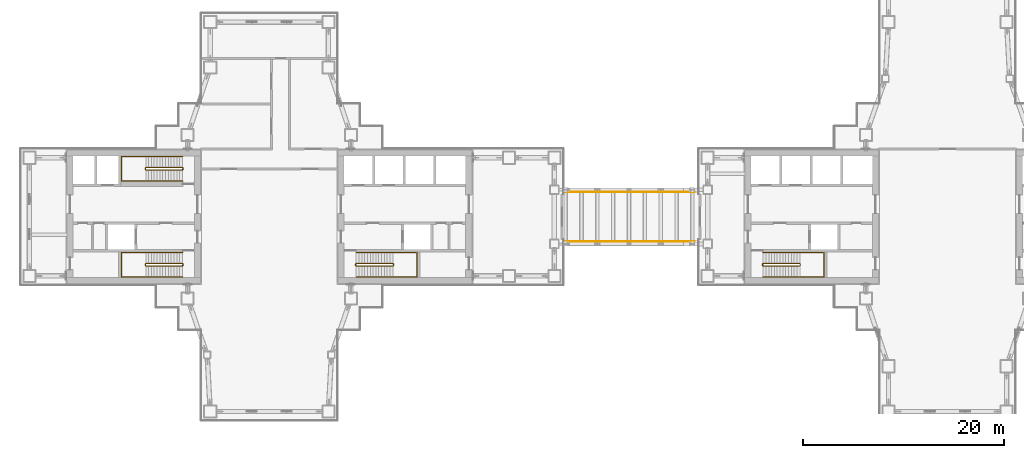
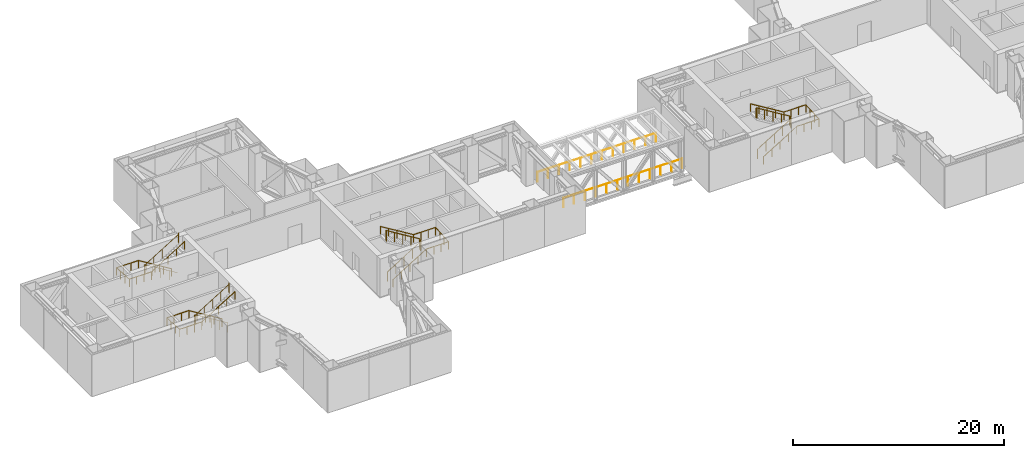
# One storey, part 20 of 21: 10 railings.
"""IFC4 building model written with IfcOpenShell, lengths in metres."""

import ifcopenshell
import ifcopenshell.guid

model = None  # the IFC model being written
_history = None  # IfcOwnerHistory: only IFC2X3 demands one
_inside = {}  # id of a spatial element -> (the spatial element, [elements in it])
_under = {}  # id of a project, library or spatial element -> (it, [spatial elements below it])
_declared = {}  # id of a project -> (the project, [libraries it declares])
_typed = {}  # id of a type object -> (the type object, [elements of that type])
_made_of = {}  # id of a material, layer set ... -> (it, [elements and type objects made of it])


def new_model(schema):
    """Start an empty IFC model of exactly this schema.

    Asked for "IFC4X3", IfcOpenShell would pick the latest addendum, in which some entities
    have other attributes; the version numbers below select the first issue.
    IFC2X3 requires an IfcOwnerHistory on every rooted entity: one is made here for all.
    """
    global model, _history
    if schema == "IFC4X3":
        model = ifcopenshell.file(schema_version=(4, 3, 0, 0))
    else:
        model = ifcopenshell.file(schema=schema)
    _inside.clear()
    _under.clear()
    _declared.clear()
    _typed.clear()
    _made_of.clear()
    _history = None
    if model.schema == "IFC2X3":
        org = make("IfcOrganization", Name="unknown")
        user = make(
            "IfcPersonAndOrganization",
            ThePerson=make("IfcPerson", FamilyName="unknown"),
            TheOrganization=org,
        )
        app = make(
            "IfcApplication",
            ApplicationDeveloper=org,
            Version="unknown",
            ApplicationFullName="unknown",
            ApplicationIdentifier="unknown",
        )
        _history = make(
            "IfcOwnerHistory",
            OwningUser=user,
            OwningApplication=app,
            ChangeAction="ADDED",
            CreationDate=0,
        )
    return model


def make(cls, **values):
    """One entity of the class cls with the attributes given. An attribute that is None is left unset."""
    return model.create_entity(
        cls, **{name: value for name, value in values.items() if value is not None}
    )


def rooted(cls, **values):
    """An entity with a GlobalId (a new one), such as an element, a storey or a relation."""
    return make(cls, GlobalId=ifcopenshell.guid.new(), OwnerHistory=_history, **values)


def si_unit(unit_type, name, prefix=None):
    """IfcSIUnit, for example si_unit("LENGTHUNIT", "METRE", prefix="MILLI")."""
    return make("IfcSIUnit", UnitType=unit_type, Prefix=prefix, Name=name)


def assignment(units):
    """IfcUnitAssignment: the units of a project."""
    return None if units is None else make("IfcUnitAssignment", Units=units)


def point(xyz):
    """IfcCartesianPoint."""
    return None if xyz is None else make("IfcCartesianPoint", Coordinates=xyz)


def direction(xyz):
    """IfcDirection."""
    return None if xyz is None else make("IfcDirection", DirectionRatios=xyz)


def frame(location, z_axis=None, x_axis=None):
    """IfcAxis2Placement3D, a coordinate frame: its origin and axes. An axis left out is left unset."""
    return make(
        "IfcAxis2Placement3D",
        Location=point(location),
        Axis=direction(z_axis),
        RefDirection=direction(x_axis),
    )


def frame_2d(location, x_axis=None):
    """IfcAxis2Placement2D, a coordinate frame in the plane: its origin and x axis."""
    return make(
        "IfcAxis2Placement2D", Location=point(location), RefDirection=direction(x_axis)
    )


def origin():
    """The frame at (0, 0, 0) with its axes left unset."""
    return frame((0.0, 0.0, 0.0))


def origin_2d():
    """The frame at (0, 0) in the plane with its x axis left unset."""
    return frame_2d((0.0, 0.0))


def place(relative_to, where):
    """IfcLocalPlacement: puts the frame where relative to a parent placement (None: the world)."""
    return make(
        "IfcLocalPlacement", PlacementRelTo=relative_to, RelativePlacement=where
    )


def context(
    kind, dimensions, precision=None, world=None, true_north=None, identifier=None
):
    """IfcGeometricRepresentationContext, for example the 3D "Model" context."""
    return make(
        "IfcGeometricRepresentationContext",
        ContextIdentifier=identifier,
        ContextType=kind,
        CoordinateSpaceDimension=dimensions,
        Precision=precision,
        WorldCoordinateSystem=world,
        TrueNorth=true_north,
    )


def subcontext(parent, identifier, kind, view, scale=None):
    """IfcGeometricRepresentationSubContext, for example "Body" below "Model"."""
    return make(
        "IfcGeometricRepresentationSubContext",
        ContextIdentifier=identifier,
        ContextType=kind,
        ParentContext=parent,
        TargetScale=scale,
        TargetView=view,
    )


def project(units=None, contexts=None):
    """IfcProject with its units and contexts."""
    return rooted(
        "IfcProject",
        Name="project",
        RepresentationContexts=contexts,
        UnitsInContext=assignment(units),
    )


def spatial(cls, under=None, at=None, **own):
    """A site, building, storey or space (cls), placed at a placement, below another one or the project."""
    s = rooted(cls, ObjectPlacement=at, **own)
    if under is not None:
        _under.setdefault(under.id(), (under, []))[1].append(s)
    return s


def profile(cls, at=None, kind="AREA", **sizes):
    """A parametric profile (cls). Its sizes go by their IFC names, for example OverallWidth=200.0."""
    return make(cls, ProfileType=kind, Position=at, **sizes)


def circle(**sizes):
    """IfcCircleProfileDef."""
    return profile("IfcCircleProfileDef", **sizes)


def extrude(swept, where, along, depth):
    """IfcExtrudedAreaSolid: the profile swept, set in the frame where, extruded along a direction by depth."""
    return make(
        "IfcExtrudedAreaSolid",
        SweptArea=swept,
        Position=where,
        ExtrudedDirection=direction(along),
        Depth=depth,
    )


def shape(context_of_items, identifier, shape_type, items):
    """IfcShapeRepresentation: the items that make up one representation, for example the "Body"."""
    return make(
        "IfcShapeRepresentation",
        ContextOfItems=context_of_items,
        RepresentationIdentifier=identifier,
        RepresentationType=shape_type,
        Items=items,
    )


def material(Name=None, Category=None):
    """IfcMaterial."""
    return make("IfcMaterial", Name=Name, Category=Category)


def made_of(thing, what):
    """Note that an element or type object is made of a material, layer set ...; save() writes the relation."""
    if what is not None:
        _made_of.setdefault(what.id(), (what, []))[1].append(thing)
    return thing


def type_object(cls, material=None, **own):
    """A type object (cls), such as IfcWallType, which elements share."""
    return made_of(rooted(cls, **own), material)


def element(
    cls,
    number,
    at=None,
    inside=None,
    cuts=None,
    type_object=None,
    material=None,
    context=None,
    identifier="Body",
    shape_type=None,
    held_by="IfcProductDefinitionShape",
    body=None,
    shapes=None,
    **own,
):
    """One element of the class cls, such as IfcWall. Its Tag is "e" and its number.

    at: its placement. inside: the storey or other place that contains it. cuts: it is an
    opening in that element (IfcRelVoidsElement). A single representation is given by context,
    identifier, shape_type and body (its items); several are given by shapes. held_by: the class
    of the entity that holds the representations. save() writes the other relations.
    """
    e = rooted(cls, Tag="e%d" % number, ObjectPlacement=at, **own)
    if body is not None:
        shapes = [shape(context, identifier, shape_type, body)]
    if shapes is not None:
        e.Representation = make(held_by, Representations=shapes)
    if inside is not None:
        _inside.setdefault(inside.id(), (inside, []))[1].append(e)
    if cuts is not None:
        rooted(
            "IfcRelVoidsElement", RelatingBuildingElement=cuts, RelatedOpeningElement=e
        )
    if type_object is not None:
        _typed.setdefault(type_object.id(), (type_object, []))[1].append(e)
    return made_of(e, material)


def aggregate(whole, parts):
    """IfcRelAggregates: a whole, such as a stair, and the parts it consists of."""
    return rooted("IfcRelAggregates", RelatingObject=whole, RelatedObjects=parts)


def save(model, path):
    """Write the relations noted so far, then the file.

    IfcRelAggregates (storeys below a building ...), IfcRelContainedInSpatialStructure (elements
    in a storey), IfcRelDefinesByType, IfcRelAssociatesMaterial and IfcRelDeclares: one each for
    every whole, place, type object, material and project.
    """
    for whole, parts in _under.values():
        aggregate(whole, parts)
    for where, things in _inside.values():
        rooted(
            "IfcRelContainedInSpatialStructure",
            RelatedElements=things,
            RelatingStructure=where,
        )
    for kind, things in _typed.values():
        rooted("IfcRelDefinesByType", RelatedObjects=things, RelatingType=kind)
    for what, things in _made_of.values():
        rooted("IfcRelAssociatesMaterial", RelatedObjects=things, RelatingMaterial=what)
    for by, libraries in _declared.values():
        rooted("IfcRelDeclares", RelatingContext=by, RelatedDefinitions=libraries)
    model.write(path)


model = new_model("IFC4")

# Units and contexts
model_context = context("Model", 3, precision=1e-05, world=origin(), true_north=direction((0.0, 1.0)))
body_context = subcontext(model_context, "Body", "Model", "MODEL_VIEW")
ifc_project = project(units=[si_unit("LENGTHUNIT", "METRE"), si_unit("AREAUNIT", "SQUARE_METRE"), si_unit("VOLUMEUNIT", "CUBIC_METRE"), si_unit("PLANEANGLEUNIT", "RADIAN"), si_unit("MASSUNIT", "GRAM", prefix="KILO")], contexts=[model_context])

# Site, building, storey
site_placement = place(None, origin())
site = spatial("IfcSite", under=ifc_project, at=site_placement, CompositionType="ELEMENT")
building_placement = place(site_placement, origin())
building = spatial("IfcBuilding", under=site, at=building_placement, Name="Shamsa Quay Exchange Towers", CompositionType="ELEMENT")
storey_placement = place(building_placement, frame((0.0, 0.0, 128.699951171875)))
storey = spatial("IfcBuildingStorey", under=building, at=storey_placement, Name="L30", CompositionType="ELEMENT", Elevation=128.699951171875)

# Railings
ifc_material_1 = material(Name="Steel S355", Category="steel")
railing_type_1 = type_object("IfcRailingType", Name="SKYBRIDGE GUARD 1100", PredefinedType="GUARDRAIL", material=ifc_material_1)
for number, where, name in (
    (1, (-4.449951171875, -2.463623046875, 0.0), "Skybridge guard BR2 S"),
    (2, (-4.449951171875, 2.463623046875, 0.0), "Skybridge guard BR2 N"),
):
    element("IfcRailing", number, at=place(storey_placement, frame(where)), inside=storey, type_object=railing_type_1, Name=name, PredefinedType="GUARDRAIL", context=body_context, shape_type="SweptSolid", body=[
        extrude(circle(Radius=0.02392578125, at=origin_2d()), frame((0.0, 0.0, 1.076171875), z_axis=(1.0, 0.0, 0.0), x_axis=(0.0, 1.0, 0.0)), (0.0, 0.0, 1.0), 13.0),
        extrude(circle(Radius=0.02099609375, at=origin_2d()), origin(), (0.0, 0.0, 1.0), 1.052001953125),
        extrude(circle(Radius=0.02099609375, at=origin_2d()), frame((1.181884765625, 0.0, 0.0)), (0.0, 0.0, 1.0), 1.052001953125),
        extrude(circle(Radius=0.02099609375, at=origin_2d()), frame((2.363525390625, 0.0, 0.0)), (0.0, 0.0, 1.0), 1.052001953125),
        extrude(circle(Radius=0.02099609375, at=origin_2d()), frame((3.54541015625, 0.0, 0.0)), (0.0, 0.0, 1.0), 1.052001953125),
        extrude(circle(Radius=0.02099609375, at=origin_2d()), frame((4.727294921875, 0.0, 0.0)), (0.0, 0.0, 1.0), 1.052001953125),
        extrude(circle(Radius=0.02099609375, at=origin_2d()), frame((5.9091796875, 0.0, 0.0)), (0.0, 0.0, 1.0), 1.052001953125),
        extrude(circle(Radius=0.02099609375, at=origin_2d()), frame((7.0908203125, 0.0, 0.0)), (0.0, 0.0, 1.0), 1.052001953125),
        extrude(circle(Radius=0.02099609375, at=origin_2d()), frame((8.272705078125, 0.0, 0.0)), (0.0, 0.0, 1.0), 1.052001953125),
        extrude(circle(Radius=0.02099609375, at=origin_2d()), frame((9.45458984375, 0.0, 0.0)), (0.0, 0.0, 1.0), 1.052001953125),
        extrude(circle(Radius=0.02099609375, at=origin_2d()), frame((10.636474609375, 0.0, 0.0)), (0.0, 0.0, 1.0), 1.052001953125),
        extrude(circle(Radius=0.02099609375, at=origin_2d()), frame((11.818115234375, 0.0, 0.0)), (0.0, 0.0, 1.0), 1.052001953125),
        extrude(circle(Radius=0.02099609375, at=origin_2d()), frame((13.0, 0.0, 0.0)), (0.0, 0.0, 1.0), 1.052001953125),
    ])
ifc_material_2 = material(Name="Stainless steel", Category="steel")
railing_type_2 = type_object("IfcRailingType", Name="STAIR GUARD 1100", PredefinedType="GUARDRAIL", material=ifc_material_2)
railing_1_placement = place(storey_placement, frame((-25.10009765625, -4.89990234375, 0.17138671875)))
element("IfcRailing", 3, at=railing_1_placement, inside=storey, type_object=railing_type_2, Name="L30 ST1 stair guard 1", PredefinedType="GUARDRAIL", context=body_context, shape_type="SweptSolid", body=[
    extrude(circle(Radius=0.02392578125, at=origin_2d()), frame((0.0, 0.0, 1.076171875), z_axis=(0.852840387347, 0.0, 0.522171689878), x_axis=(0.0, 1.0, 0.0)), (0.0, 0.0, 1.0), 4.268310546875),
    extrude(circle(Radius=0.02392578125, at=origin_2d()), frame((3.64013671875, 0.0, 3.3046875), z_axis=(0.708833529934, 0.705375805398, 0.0), x_axis=(-0.705375805398, 0.708833529934, 0.0)), (0.0, 0.0, 1.0), 0.070556640625),
    extrude(circle(Radius=0.02392578125, at=origin_2d()), frame((3.690185546875, 0.0498046875, 3.3046875), z_axis=(0.0, 1.0, 0.0), x_axis=(-1.0, 0.0, 0.0)), (0.0, 0.0, 1.0), 0.150146484375),
    extrude(circle(Radius=0.02392578125, at=origin_2d()), frame((3.690185546875, 0.199951171875, 3.3046875), z_axis=(-0.269911200495, 0.269911200495, 0.924281281696), x_axis=(-0.707106781187, -0.707106781187, 0.0)), (0.0, 0.0, 1.0), 0.185546875),
    extrude(circle(Radius=0.02392578125, at=origin_2d()), frame((3.64013671875, 0.25, 3.47607421875), z_axis=(-0.852865859571, 0.0, 0.52213008492), x_axis=(0.0, -1.0, 0.0)), (0.0, 0.0, 1.0), 4.26806640625),
    extrude(circle(Radius=0.02392578125, at=origin_2d()), frame((0.0, 0.25, 5.70458984375), z_axis=(-0.24142163986, -0.970420317083, 0.0), x_axis=(0.970420317083, -0.24142163986, 0.0)), (0.0, 0.0, 1.0), 0.206298828125),
    extrude(circle(Radius=0.02392578125, at=origin_2d()), frame((-0.0498046875, 0.0498046875, 5.70458984375), z_axis=(0.0, 1.0, 0.0), x_axis=(-1.0, 0.0, 0.0)), (0.0, 0.0, 1.0), 0.150146484375),
    extrude(circle(Radius=0.02099609375, at=origin_2d()), origin(), (0.0, 0.0, 1.0), 1.052001953125),
    extrude(circle(Radius=0.02099609375, at=origin_2d()), frame((0.91015625, 0.0, 0.55712890625)), (0.0, 0.0, 1.0), 1.052001953125),
    extrude(circle(Radius=0.02099609375, at=origin_2d()), frame((1.820068359375, 0.0, 1.1142578125)), (0.0, 0.0, 1.0), 1.052001953125),
    extrude(circle(Radius=0.02099609375, at=origin_2d()), frame((2.72998046875, 0.0, 1.671630859375)), (0.0, 0.0, 1.0), 1.052001953125),
    extrude(circle(Radius=0.02099609375, at=origin_2d()), frame((3.64013671875, 0.0, 2.228759765625)), (0.0, 0.0, 1.0), 1.052001953125),
    extrude(circle(Radius=0.02099609375, at=origin_2d()), frame((3.690185546875, 0.0498046875, 2.228759765625)), (0.0, 0.0, 1.0), 1.052001953125),
    extrude(circle(Radius=0.02099609375, at=origin_2d()), frame((3.690185546875, 0.199951171875, 2.228759765625)), (0.0, 0.0, 1.0), 1.052001953125),
    extrude(circle(Radius=0.02099609375, at=origin_2d()), frame((3.64013671875, 0.25, 2.400146484375)), (0.0, 0.0, 1.0), 1.052001953125),
    extrude(circle(Radius=0.02099609375, at=origin_2d()), frame((2.72998046875, 0.25, 2.957275390625)), (0.0, 0.0, 1.0), 1.052001953125),
    extrude(circle(Radius=0.02099609375, at=origin_2d()), frame((1.820068359375, 0.25, 3.514404296875)), (0.0, 0.0, 1.0), 1.052001953125),
    extrude(circle(Radius=0.02099609375, at=origin_2d()), frame((0.91015625, 0.25, 4.071533203125)), (0.0, 0.0, 1.0), 1.052001953125),
    extrude(circle(Radius=0.02099609375, at=origin_2d()), frame((0.0, 0.25, 4.628662109375)), (0.0, 0.0, 1.0), 1.052001953125),
    extrude(circle(Radius=0.02099609375, at=origin_2d()), frame((-0.0498046875, 0.0498046875, 4.628662109375)), (0.0, 0.0, 1.0), 1.052001953125),
    extrude(circle(Radius=0.02099609375, at=origin_2d()), frame((-0.0498046875, 0.199951171875, 4.628662109375)), (0.0, 0.0, 1.0), 1.052001953125),
])
railing_2_placement = place(storey_placement, frame((-42.39990234375, -4.64990234375, 0.17138671875)))
element("IfcRailing", 4, at=railing_2_placement, inside=storey, type_object=railing_type_2, Name="L30 ST2 stair guard 1", PredefinedType="GUARDRAIL", context=body_context, shape_type="SweptSolid", body=[
    extrude(circle(Radius=0.02392578125, at=origin_2d()), frame((0.0, 0.0, 1.076171875), z_axis=(-0.852840387347, 0.0, 0.522171689878), x_axis=(0.0, -1.0, 0.0)), (0.0, 0.0, 1.0), 4.268310546875),
    extrude(circle(Radius=0.02392578125, at=origin_2d()), frame((-3.64013671875, 0.0, 3.3046875), z_axis=(-0.707106781187, -0.707106781187, 0.0), x_axis=(0.707106781187, -0.707106781187, 0.0)), (0.0, 0.0, 1.0), 0.07080078125),
    extrude(circle(Radius=0.02392578125, at=origin_2d()), frame((-3.690185546875, -0.050048828125, 3.3046875), z_axis=(0.0, -1.0, 0.0), x_axis=(1.0, 0.0, 0.0)), (0.0, 0.0, 1.0), 0.150146484375),
    extrude(circle(Radius=0.02392578125, at=origin_2d()), frame((-3.690185546875, -0.2001953125, 3.3046875), z_axis=(0.270006937388, -0.268689830376, 0.924609122178), x_axis=(0.705375805398, 0.708833529934, 0.0)), (0.0, 0.0, 1.0), 0.185302734375),
    extrude(circle(Radius=0.02392578125, at=origin_2d()), frame((-3.64013671875, -0.25, 3.47607421875), z_axis=(0.852865859571, 0.0, 0.52213008492), x_axis=(0.0, 1.0, 0.0)), (0.0, 0.0, 1.0), 4.26806640625),
    extrude(circle(Radius=0.02392578125, at=origin_2d()), frame((0.0, -0.25, 5.70458984375), z_axis=(0.241699205484, 0.970351222016, 0.0), x_axis=(-0.970351222016, 0.241699205484, 0.0)), (0.0, 0.0, 1.0), 0.2060546875),
    extrude(circle(Radius=0.02392578125, at=origin_2d()), frame((0.0498046875, -0.050048828125, 5.70458984375), z_axis=(0.0, -1.0, 0.0), x_axis=(1.0, 0.0, 0.0)), (0.0, 0.0, 1.0), 0.150146484375),
    extrude(circle(Radius=0.02099609375, at=origin_2d()), origin(), (0.0, 0.0, 1.0), 1.052001953125),
    extrude(circle(Radius=0.02099609375, at=origin_2d()), frame((-0.91015625, 0.0, 0.55712890625)), (0.0, 0.0, 1.0), 1.052001953125),
    extrude(circle(Radius=0.02099609375, at=origin_2d()), frame((-1.820068359375, 0.0, 1.1142578125)), (0.0, 0.0, 1.0), 1.052001953125),
    extrude(circle(Radius=0.02099609375, at=origin_2d()), frame((-2.72998046875, 0.0, 1.671630859375)), (0.0, 0.0, 1.0), 1.052001953125),
    extrude(circle(Radius=0.02099609375, at=origin_2d()), frame((-3.64013671875, 0.0, 2.228759765625)), (0.0, 0.0, 1.0), 1.052001953125),
    extrude(circle(Radius=0.02099609375, at=origin_2d()), frame((-3.690185546875, -0.050048828125, 2.228759765625)), (0.0, 0.0, 1.0), 1.052001953125),
    extrude(circle(Radius=0.02099609375, at=origin_2d()), frame((-3.690185546875, -0.2001953125, 2.228759765625)), (0.0, 0.0, 1.0), 1.052001953125),
    extrude(circle(Radius=0.02099609375, at=origin_2d()), frame((-3.64013671875, -0.25, 2.400146484375)), (0.0, 0.0, 1.0), 1.052001953125),
    extrude(circle(Radius=0.02099609375, at=origin_2d()), frame((-2.72998046875, -0.25, 2.957275390625)), (0.0, 0.0, 1.0), 1.052001953125),
    extrude(circle(Radius=0.02099609375, at=origin_2d()), frame((-1.820068359375, -0.25, 3.514404296875)), (0.0, 0.0, 1.0), 1.052001953125),
    extrude(circle(Radius=0.02099609375, at=origin_2d()), frame((-0.91015625, -0.25, 4.071533203125)), (0.0, 0.0, 1.0), 1.052001953125),
    extrude(circle(Radius=0.02099609375, at=origin_2d()), frame((0.0, -0.25, 4.628662109375)), (0.0, 0.0, 1.0), 1.052001953125),
    extrude(circle(Radius=0.02099609375, at=origin_2d()), frame((0.0498046875, -0.050048828125, 4.628662109375)), (0.0, 0.0, 1.0), 1.052001953125),
    extrude(circle(Radius=0.02099609375, at=origin_2d()), frame((0.0498046875, -0.2001953125, 4.628662109375)), (0.0, 0.0, 1.0), 1.052001953125),
])
railing_3_placement = place(storey_placement, frame((-42.39990234375, 4.89990234375, 0.17138671875)))
element("IfcRailing", 5, at=railing_3_placement, inside=storey, type_object=railing_type_2, Name="L30 ST3 stair guard 1", PredefinedType="GUARDRAIL", context=body_context, shape_type="SweptSolid", body=[
    extrude(circle(Radius=0.02392578125, at=origin_2d()), frame((0.0, 0.0, 1.076171875), z_axis=(-0.852840387347, 0.0, 0.522171689878), x_axis=(0.0, -1.0, 0.0)), (0.0, 0.0, 1.0), 4.268310546875),
    extrude(circle(Radius=0.02392578125, at=origin_2d()), frame((-3.64013671875, 0.0, 3.3046875), z_axis=(-0.708833529934, -0.705375805398, 0.0), x_axis=(0.705375805398, -0.708833529934, 0.0)), (0.0, 0.0, 1.0), 0.070556640625),
    extrude(circle(Radius=0.02392578125, at=origin_2d()), frame((-3.690185546875, -0.0498046875, 3.3046875), z_axis=(0.0, -1.0, 0.0), x_axis=(1.0, 0.0, 0.0)), (0.0, 0.0, 1.0), 0.150146484375),
    extrude(circle(Radius=0.02392578125, at=origin_2d()), frame((-3.690185546875, -0.199951171875, 3.3046875), z_axis=(0.269911200495, -0.269911200495, 0.924281281696), x_axis=(0.707106781187, 0.707106781187, 0.0)), (0.0, 0.0, 1.0), 0.185546875),
    extrude(circle(Radius=0.02392578125, at=origin_2d()), frame((-3.64013671875, -0.25, 3.47607421875), z_axis=(0.852865859571, 0.0, 0.52213008492), x_axis=(0.0, 1.0, 0.0)), (0.0, 0.0, 1.0), 4.26806640625),
    extrude(circle(Radius=0.02392578125, at=origin_2d()), frame((0.0, -0.25, 5.70458984375), z_axis=(0.24142163986, 0.970420317083, 0.0), x_axis=(-0.970420317083, 0.24142163986, 0.0)), (0.0, 0.0, 1.0), 0.206298828125),
    extrude(circle(Radius=0.02392578125, at=origin_2d()), frame((0.0498046875, -0.0498046875, 5.70458984375), z_axis=(0.0, -1.0, 0.0), x_axis=(1.0, 0.0, 0.0)), (0.0, 0.0, 1.0), 0.150146484375),
    extrude(circle(Radius=0.02099609375, at=origin_2d()), origin(), (0.0, 0.0, 1.0), 1.052001953125),
    extrude(circle(Radius=0.02099609375, at=origin_2d()), frame((-0.91015625, 0.0, 0.55712890625)), (0.0, 0.0, 1.0), 1.052001953125),
    extrude(circle(Radius=0.02099609375, at=origin_2d()), frame((-1.820068359375, 0.0, 1.1142578125)), (0.0, 0.0, 1.0), 1.052001953125),
    extrude(circle(Radius=0.02099609375, at=origin_2d()), frame((-2.72998046875, 0.0, 1.671630859375)), (0.0, 0.0, 1.0), 1.052001953125),
    extrude(circle(Radius=0.02099609375, at=origin_2d()), frame((-3.64013671875, 0.0, 2.228759765625)), (0.0, 0.0, 1.0), 1.052001953125),
    extrude(circle(Radius=0.02099609375, at=origin_2d()), frame((-3.690185546875, -0.0498046875, 2.228759765625)), (0.0, 0.0, 1.0), 1.052001953125),
    extrude(circle(Radius=0.02099609375, at=origin_2d()), frame((-3.690185546875, -0.199951171875, 2.228759765625)), (0.0, 0.0, 1.0), 1.052001953125),
    extrude(circle(Radius=0.02099609375, at=origin_2d()), frame((-3.64013671875, -0.25, 2.400146484375)), (0.0, 0.0, 1.0), 1.052001953125),
    extrude(circle(Radius=0.02099609375, at=origin_2d()), frame((-2.72998046875, -0.25, 2.957275390625)), (0.0, 0.0, 1.0), 1.052001953125),
    extrude(circle(Radius=0.02099609375, at=origin_2d()), frame((-1.820068359375, -0.25, 3.514404296875)), (0.0, 0.0, 1.0), 1.052001953125),
    extrude(circle(Radius=0.02099609375, at=origin_2d()), frame((-0.91015625, -0.25, 4.071533203125)), (0.0, 0.0, 1.0), 1.052001953125),
    extrude(circle(Radius=0.02099609375, at=origin_2d()), frame((0.0, -0.25, 4.628662109375)), (0.0, 0.0, 1.0), 1.052001953125),
    extrude(circle(Radius=0.02099609375, at=origin_2d()), frame((0.0498046875, -0.0498046875, 4.628662109375)), (0.0, 0.0, 1.0), 1.052001953125),
    extrude(circle(Radius=0.02099609375, at=origin_2d()), frame((0.0498046875, -0.199951171875, 4.628662109375)), (0.0, 0.0, 1.0), 1.052001953125),
])
railing_4_placement = place(storey_placement, frame((15.39990234375, -4.89990234375, 0.17138671875)))
element("IfcRailing", 6, at=railing_4_placement, inside=storey, type_object=railing_type_2, Name="L30 ST4 stair guard 1", PredefinedType="GUARDRAIL", context=body_context, shape_type="SweptSolid", body=[
    extrude(circle(Radius=0.02392578125, at=origin_2d()), frame((0.0, 0.0, 1.076171875), z_axis=(0.852840387347, 0.0, 0.522171689878), x_axis=(0.0, 1.0, 0.0)), (0.0, 0.0, 1.0), 4.268310546875),
    extrude(circle(Radius=0.02392578125, at=origin_2d()), frame((3.64013671875, 0.0, 3.3046875), z_axis=(0.708833529934, 0.705375805398, 0.0), x_axis=(-0.705375805398, 0.708833529934, 0.0)), (0.0, 0.0, 1.0), 0.070556640625),
    extrude(circle(Radius=0.02392578125, at=origin_2d()), frame((3.690185546875, 0.0498046875, 3.3046875), z_axis=(0.0, 1.0, 0.0), x_axis=(-1.0, 0.0, 0.0)), (0.0, 0.0, 1.0), 0.150146484375),
    extrude(circle(Radius=0.02392578125, at=origin_2d()), frame((3.690185546875, 0.199951171875, 3.3046875), z_axis=(-0.269911200495, 0.269911200495, 0.924281281696), x_axis=(-0.707106781187, -0.707106781187, 0.0)), (0.0, 0.0, 1.0), 0.185546875),
    extrude(circle(Radius=0.02392578125, at=origin_2d()), frame((3.64013671875, 0.25, 3.47607421875), z_axis=(-0.852865859571, 0.0, 0.52213008492), x_axis=(0.0, -1.0, 0.0)), (0.0, 0.0, 1.0), 4.26806640625),
    extrude(circle(Radius=0.02392578125, at=origin_2d()), frame((0.0, 0.25, 5.70458984375), z_axis=(-0.24142163986, -0.970420317083, 0.0), x_axis=(0.970420317083, -0.24142163986, 0.0)), (0.0, 0.0, 1.0), 0.206298828125),
    extrude(circle(Radius=0.02392578125, at=origin_2d()), frame((-0.0498046875, 0.0498046875, 5.70458984375), z_axis=(0.0, 1.0, 0.0), x_axis=(-1.0, 0.0, 0.0)), (0.0, 0.0, 1.0), 0.150146484375),
    extrude(circle(Radius=0.02099609375, at=origin_2d()), origin(), (0.0, 0.0, 1.0), 1.052001953125),
    extrude(circle(Radius=0.02099609375, at=origin_2d()), frame((0.91015625, 0.0, 0.55712890625)), (0.0, 0.0, 1.0), 1.052001953125),
    extrude(circle(Radius=0.02099609375, at=origin_2d()), frame((1.820068359375, 0.0, 1.1142578125)), (0.0, 0.0, 1.0), 1.052001953125),
    extrude(circle(Radius=0.02099609375, at=origin_2d()), frame((2.72998046875, 0.0, 1.671630859375)), (0.0, 0.0, 1.0), 1.052001953125),
    extrude(circle(Radius=0.02099609375, at=origin_2d()), frame((3.64013671875, 0.0, 2.228759765625)), (0.0, 0.0, 1.0), 1.052001953125),
    extrude(circle(Radius=0.02099609375, at=origin_2d()), frame((3.690185546875, 0.0498046875, 2.228759765625)), (0.0, 0.0, 1.0), 1.052001953125),
    extrude(circle(Radius=0.02099609375, at=origin_2d()), frame((3.690185546875, 0.199951171875, 2.228759765625)), (0.0, 0.0, 1.0), 1.052001953125),
    extrude(circle(Radius=0.02099609375, at=origin_2d()), frame((3.64013671875, 0.25, 2.400146484375)), (0.0, 0.0, 1.0), 1.052001953125),
    extrude(circle(Radius=0.02099609375, at=origin_2d()), frame((2.72998046875, 0.25, 2.957275390625)), (0.0, 0.0, 1.0), 1.052001953125),
    extrude(circle(Radius=0.02099609375, at=origin_2d()), frame((1.820068359375, 0.25, 3.514404296875)), (0.0, 0.0, 1.0), 1.052001953125),
    extrude(circle(Radius=0.02099609375, at=origin_2d()), frame((0.91015625, 0.25, 4.071533203125)), (0.0, 0.0, 1.0), 1.052001953125),
    extrude(circle(Radius=0.02099609375, at=origin_2d()), frame((0.0, 0.25, 4.628662109375)), (0.0, 0.0, 1.0), 1.052001953125),
    extrude(circle(Radius=0.02099609375, at=origin_2d()), frame((-0.0498046875, 0.0498046875, 4.628662109375)), (0.0, 0.0, 1.0), 1.052001953125),
    extrude(circle(Radius=0.02099609375, at=origin_2d()), frame((-0.0498046875, 0.199951171875, 4.628662109375)), (0.0, 0.0, 1.0), 1.052001953125),
])
railing_type_3 = type_object("IfcRailingType", Name="STAIR HANDRAIL 900", PredefinedType="HANDRAIL", material=ifc_material_2)
railing_5_placement = place(storey_placement, frame((-25.10009765625, -6.0, 0.17138671875)))
element("IfcRailing", 7, at=railing_5_placement, inside=storey, type_object=railing_type_3, Name="L30 ST1 stair handrail 1", PredefinedType="HANDRAIL", context=body_context, shape_type="SweptSolid", body=[
    extrude(circle(Radius=0.02392578125, at=origin_2d()), frame((0.0, 0.0, 0.8759765625), z_axis=(0.852840387347, 0.0, 0.522171689878), x_axis=(0.0, 1.0, 0.0)), (0.0, 0.0, 1.0), 4.268310546875),
    extrude(circle(Radius=0.02392578125, at=origin_2d()), frame((3.64013671875, 0.0, 3.1044921875), z_axis=(1.0, 0.0, 0.0), x_axis=(0.0, 1.0, 0.0)), (0.0, 0.0, 1.0), 2.409912109375),
    extrude(circle(Radius=0.02392578125, at=origin_2d()), frame((6.050048828125, 0.0, 3.1044921875), z_axis=(0.0, 0.99756208224, 0.069784612031), x_axis=(-1.0, 0.0, 0.0)), (0.0, 0.0, 1.0), 2.4560546875),
    extrude(circle(Radius=0.02392578125, at=origin_2d()), frame((6.050048828125, 2.449951171875, 3.27587890625), z_axis=(-1.0, 0.0, 0.0), x_axis=(0.0, -1.0, 0.0)), (0.0, 0.0, 1.0), 2.409912109375),
    extrude(circle(Radius=0.02392578125, at=origin_2d()), frame((3.64013671875, 2.449951171875, 3.27587890625), z_axis=(-0.852865859571, 0.0, 0.52213008492), x_axis=(0.0, -1.0, 0.0)), (0.0, 0.0, 1.0), 4.26806640625),
    extrude(circle(Radius=0.02099609375, at=origin_2d()), origin(), (0.0, 0.0, 1.0), 0.851806640625),
    extrude(circle(Radius=0.02099609375, at=origin_2d()), frame((0.91015625, 0.0, 0.55712890625)), (0.0, 0.0, 1.0), 0.851806640625),
    extrude(circle(Radius=0.02099609375, at=origin_2d()), frame((1.820068359375, 0.0, 1.1142578125)), (0.0, 0.0, 1.0), 0.851806640625),
    extrude(circle(Radius=0.02099609375, at=origin_2d()), frame((2.72998046875, 0.0, 1.671630859375)), (0.0, 0.0, 1.0), 0.851806640625),
    extrude(circle(Radius=0.02099609375, at=origin_2d()), frame((3.64013671875, 0.0, 2.228759765625)), (0.0, 0.0, 1.0), 0.851806640625),
    extrude(circle(Radius=0.02099609375, at=origin_2d()), frame((4.443359375, 0.0, 2.228759765625)), (0.0, 0.0, 1.0), 0.851806640625),
    extrude(circle(Radius=0.02099609375, at=origin_2d()), frame((5.246826171875, 0.0, 2.228759765625)), (0.0, 0.0, 1.0), 0.851806640625),
    extrude(circle(Radius=0.02099609375, at=origin_2d()), frame((6.050048828125, 0.0, 2.228759765625)), (0.0, 0.0, 1.0), 0.851806640625),
    extrude(circle(Radius=0.02099609375, at=origin_2d()), frame((6.050048828125, 0.816650390625, 2.285888671875)), (0.0, 0.0, 1.0), 0.851806640625),
    extrude(circle(Radius=0.02099609375, at=origin_2d()), frame((6.050048828125, 1.63330078125, 2.343017578125)), (0.0, 0.0, 1.0), 0.851806640625),
    extrude(circle(Radius=0.02099609375, at=origin_2d()), frame((6.050048828125, 2.449951171875, 2.400146484375)), (0.0, 0.0, 1.0), 0.851806640625),
    extrude(circle(Radius=0.02099609375, at=origin_2d()), frame((5.246826171875, 2.449951171875, 2.400146484375)), (0.0, 0.0, 1.0), 0.851806640625),
    extrude(circle(Radius=0.02099609375, at=origin_2d()), frame((4.443359375, 2.449951171875, 2.400146484375)), (0.0, 0.0, 1.0), 0.851806640625),
    extrude(circle(Radius=0.02099609375, at=origin_2d()), frame((3.64013671875, 2.449951171875, 2.400146484375)), (0.0, 0.0, 1.0), 0.851806640625),
    extrude(circle(Radius=0.02099609375, at=origin_2d()), frame((2.72998046875, 2.449951171875, 2.957275390625)), (0.0, 0.0, 1.0), 0.851806640625),
    extrude(circle(Radius=0.02099609375, at=origin_2d()), frame((1.820068359375, 2.449951171875, 3.514404296875)), (0.0, 0.0, 1.0), 0.851806640625),
    extrude(circle(Radius=0.02099609375, at=origin_2d()), frame((0.91015625, 2.449951171875, 4.071533203125)), (0.0, 0.0, 1.0), 0.851806640625),
    extrude(circle(Radius=0.02099609375, at=origin_2d()), frame((0.0, 2.449951171875, 4.628662109375)), (0.0, 0.0, 1.0), 0.851806640625),
])
railing_6_placement = place(storey_placement, frame((-42.39990234375, -3.550048828125, 0.17138671875)))
element("IfcRailing", 8, at=railing_6_placement, inside=storey, type_object=railing_type_3, Name="L30 ST2 stair handrail 1", PredefinedType="HANDRAIL", context=body_context, shape_type="SweptSolid", body=[
    extrude(circle(Radius=0.02392578125, at=origin_2d()), frame((0.0, 0.0, 0.8759765625), z_axis=(-0.852840387347, 0.0, 0.522171689878), x_axis=(0.0, -1.0, 0.0)), (0.0, 0.0, 1.0), 4.268310546875),
    extrude(circle(Radius=0.02392578125, at=origin_2d()), frame((-3.64013671875, 0.0, 3.1044921875), z_axis=(-1.0, 0.0, 0.0), x_axis=(0.0, -1.0, 0.0)), (0.0, 0.0, 1.0), 2.409912109375),
    extrude(circle(Radius=0.02392578125, at=origin_2d()), frame((-6.050048828125, 0.0, 3.1044921875), z_axis=(0.0, -0.99756208224, 0.069784612031), x_axis=(1.0, 0.0, 0.0)), (0.0, 0.0, 1.0), 2.4560546875),
    extrude(circle(Radius=0.02392578125, at=origin_2d()), frame((-6.050048828125, -2.449951171875, 3.27587890625), z_axis=(1.0, 0.0, 0.0), x_axis=(0.0, 1.0, 0.0)), (0.0, 0.0, 1.0), 2.409912109375),
    extrude(circle(Radius=0.02392578125, at=origin_2d()), frame((-3.64013671875, -2.449951171875, 3.27587890625), z_axis=(0.852865859571, 0.0, 0.52213008492), x_axis=(0.0, 1.0, 0.0)), (0.0, 0.0, 1.0), 4.26806640625),
    extrude(circle(Radius=0.02099609375, at=origin_2d()), origin(), (0.0, 0.0, 1.0), 0.851806640625),
    extrude(circle(Radius=0.02099609375, at=origin_2d()), frame((-0.91015625, 0.0, 0.55712890625)), (0.0, 0.0, 1.0), 0.851806640625),
    extrude(circle(Radius=0.02099609375, at=origin_2d()), frame((-1.820068359375, 0.0, 1.1142578125)), (0.0, 0.0, 1.0), 0.851806640625),
    extrude(circle(Radius=0.02099609375, at=origin_2d()), frame((-2.72998046875, 0.0, 1.671630859375)), (0.0, 0.0, 1.0), 0.851806640625),
    extrude(circle(Radius=0.02099609375, at=origin_2d()), frame((-3.64013671875, 0.0, 2.228759765625)), (0.0, 0.0, 1.0), 0.851806640625),
    extrude(circle(Radius=0.02099609375, at=origin_2d()), frame((-4.443359375, 0.0, 2.228759765625)), (0.0, 0.0, 1.0), 0.851806640625),
    extrude(circle(Radius=0.02099609375, at=origin_2d()), frame((-5.246826171875, 0.0, 2.228759765625)), (0.0, 0.0, 1.0), 0.851806640625),
    extrude(circle(Radius=0.02099609375, at=origin_2d()), frame((-6.050048828125, 0.0, 2.228759765625)), (0.0, 0.0, 1.0), 0.851806640625),
    extrude(circle(Radius=0.02099609375, at=origin_2d()), frame((-6.050048828125, -0.816650390625, 2.285888671875)), (0.0, 0.0, 1.0), 0.851806640625),
    extrude(circle(Radius=0.02099609375, at=origin_2d()), frame((-6.050048828125, -1.63330078125, 2.343017578125)), (0.0, 0.0, 1.0), 0.851806640625),
    extrude(circle(Radius=0.02099609375, at=origin_2d()), frame((-6.050048828125, -2.449951171875, 2.400146484375)), (0.0, 0.0, 1.0), 0.851806640625),
    extrude(circle(Radius=0.02099609375, at=origin_2d()), frame((-5.246826171875, -2.449951171875, 2.400146484375)), (0.0, 0.0, 1.0), 0.851806640625),
    extrude(circle(Radius=0.02099609375, at=origin_2d()), frame((-4.443359375, -2.449951171875, 2.400146484375)), (0.0, 0.0, 1.0), 0.851806640625),
    extrude(circle(Radius=0.02099609375, at=origin_2d()), frame((-3.64013671875, -2.449951171875, 2.400146484375)), (0.0, 0.0, 1.0), 0.851806640625),
    extrude(circle(Radius=0.02099609375, at=origin_2d()), frame((-2.72998046875, -2.449951171875, 2.957275390625)), (0.0, 0.0, 1.0), 0.851806640625),
    extrude(circle(Radius=0.02099609375, at=origin_2d()), frame((-1.820068359375, -2.449951171875, 3.514404296875)), (0.0, 0.0, 1.0), 0.851806640625),
    extrude(circle(Radius=0.02099609375, at=origin_2d()), frame((-0.91015625, -2.449951171875, 4.071533203125)), (0.0, 0.0, 1.0), 0.851806640625),
    extrude(circle(Radius=0.02099609375, at=origin_2d()), frame((0.0, -2.449951171875, 4.628662109375)), (0.0, 0.0, 1.0), 0.851806640625),
])
railing_7_placement = place(storey_placement, frame((-42.39990234375, 6.0, 0.17138671875)))
element("IfcRailing", 9, at=railing_7_placement, inside=storey, type_object=railing_type_3, Name="L30 ST3 stair handrail 1", PredefinedType="HANDRAIL", context=body_context, shape_type="SweptSolid", body=[
    extrude(circle(Radius=0.02392578125, at=origin_2d()), frame((0.0, 0.0, 0.8759765625), z_axis=(-0.852840387347, 0.0, 0.522171689878), x_axis=(0.0, -1.0, 0.0)), (0.0, 0.0, 1.0), 4.268310546875),
    extrude(circle(Radius=0.02392578125, at=origin_2d()), frame((-3.64013671875, 0.0, 3.1044921875), z_axis=(-1.0, 0.0, 0.0), x_axis=(0.0, -1.0, 0.0)), (0.0, 0.0, 1.0), 2.409912109375),
    extrude(circle(Radius=0.02392578125, at=origin_2d()), frame((-6.050048828125, 0.0, 3.1044921875), z_axis=(0.0, -0.99756208224, 0.069784612031), x_axis=(1.0, 0.0, 0.0)), (0.0, 0.0, 1.0), 2.4560546875),
    extrude(circle(Radius=0.02392578125, at=origin_2d()), frame((-6.050048828125, -2.449951171875, 3.27587890625), z_axis=(1.0, 0.0, 0.0), x_axis=(0.0, 1.0, 0.0)), (0.0, 0.0, 1.0), 2.409912109375),
    extrude(circle(Radius=0.02392578125, at=origin_2d()), frame((-3.64013671875, -2.449951171875, 3.27587890625), z_axis=(0.852865859571, 0.0, 0.52213008492), x_axis=(0.0, 1.0, 0.0)), (0.0, 0.0, 1.0), 4.26806640625),
    extrude(circle(Radius=0.02099609375, at=origin_2d()), origin(), (0.0, 0.0, 1.0), 0.851806640625),
    extrude(circle(Radius=0.02099609375, at=origin_2d()), frame((-0.91015625, 0.0, 0.55712890625)), (0.0, 0.0, 1.0), 0.851806640625),
    extrude(circle(Radius=0.02099609375, at=origin_2d()), frame((-1.820068359375, 0.0, 1.1142578125)), (0.0, 0.0, 1.0), 0.851806640625),
    extrude(circle(Radius=0.02099609375, at=origin_2d()), frame((-2.72998046875, 0.0, 1.671630859375)), (0.0, 0.0, 1.0), 0.851806640625),
    extrude(circle(Radius=0.02099609375, at=origin_2d()), frame((-3.64013671875, 0.0, 2.228759765625)), (0.0, 0.0, 1.0), 0.851806640625),
    extrude(circle(Radius=0.02099609375, at=origin_2d()), frame((-4.443359375, 0.0, 2.228759765625)), (0.0, 0.0, 1.0), 0.851806640625),
    extrude(circle(Radius=0.02099609375, at=origin_2d()), frame((-5.246826171875, 0.0, 2.228759765625)), (0.0, 0.0, 1.0), 0.851806640625),
    extrude(circle(Radius=0.02099609375, at=origin_2d()), frame((-6.050048828125, 0.0, 2.228759765625)), (0.0, 0.0, 1.0), 0.851806640625),
    extrude(circle(Radius=0.02099609375, at=origin_2d()), frame((-6.050048828125, -0.816650390625, 2.285888671875)), (0.0, 0.0, 1.0), 0.851806640625),
    extrude(circle(Radius=0.02099609375, at=origin_2d()), frame((-6.050048828125, -1.63330078125, 2.343017578125)), (0.0, 0.0, 1.0), 0.851806640625),
    extrude(circle(Radius=0.02099609375, at=origin_2d()), frame((-6.050048828125, -2.449951171875, 2.400146484375)), (0.0, 0.0, 1.0), 0.851806640625),
    extrude(circle(Radius=0.02099609375, at=origin_2d()), frame((-5.246826171875, -2.449951171875, 2.400146484375)), (0.0, 0.0, 1.0), 0.851806640625),
    extrude(circle(Radius=0.02099609375, at=origin_2d()), frame((-4.443359375, -2.449951171875, 2.400146484375)), (0.0, 0.0, 1.0), 0.851806640625),
    extrude(circle(Radius=0.02099609375, at=origin_2d()), frame((-3.64013671875, -2.449951171875, 2.400146484375)), (0.0, 0.0, 1.0), 0.851806640625),
    extrude(circle(Radius=0.02099609375, at=origin_2d()), frame((-2.72998046875, -2.449951171875, 2.957275390625)), (0.0, 0.0, 1.0), 0.851806640625),
    extrude(circle(Radius=0.02099609375, at=origin_2d()), frame((-1.820068359375, -2.449951171875, 3.514404296875)), (0.0, 0.0, 1.0), 0.851806640625),
    extrude(circle(Radius=0.02099609375, at=origin_2d()), frame((-0.91015625, -2.449951171875, 4.071533203125)), (0.0, 0.0, 1.0), 0.851806640625),
    extrude(circle(Radius=0.02099609375, at=origin_2d()), frame((0.0, -2.449951171875, 4.628662109375)), (0.0, 0.0, 1.0), 0.851806640625),
])
railing_8_placement = place(storey_placement, frame((15.39990234375, -6.0, 0.17138671875)))
element("IfcRailing", 10, at=railing_8_placement, inside=storey, type_object=railing_type_3, Name="L30 ST4 stair handrail 1", PredefinedType="HANDRAIL", context=body_context, shape_type="SweptSolid", body=[
    extrude(circle(Radius=0.02392578125, at=origin_2d()), frame((0.0, 0.0, 0.8759765625), z_axis=(0.852840387347, 0.0, 0.522171689878), x_axis=(0.0, 1.0, 0.0)), (0.0, 0.0, 1.0), 4.268310546875),
    extrude(circle(Radius=0.02392578125, at=origin_2d()), frame((3.64013671875, 0.0, 3.1044921875), z_axis=(1.0, 0.0, 0.0), x_axis=(0.0, 1.0, 0.0)), (0.0, 0.0, 1.0), 2.409912109375),
    extrude(circle(Radius=0.02392578125, at=origin_2d()), frame((6.050048828125, 0.0, 3.1044921875), z_axis=(0.0, 0.99756208224, 0.069784612031), x_axis=(-1.0, 0.0, 0.0)), (0.0, 0.0, 1.0), 2.4560546875),
    extrude(circle(Radius=0.02392578125, at=origin_2d()), frame((6.050048828125, 2.449951171875, 3.27587890625), z_axis=(-1.0, 0.0, 0.0), x_axis=(0.0, -1.0, 0.0)), (0.0, 0.0, 1.0), 2.409912109375),
    extrude(circle(Radius=0.02392578125, at=origin_2d()), frame((3.64013671875, 2.449951171875, 3.27587890625), z_axis=(-0.852865859571, 0.0, 0.52213008492), x_axis=(0.0, -1.0, 0.0)), (0.0, 0.0, 1.0), 4.26806640625),
    extrude(circle(Radius=0.02099609375, at=origin_2d()), origin(), (0.0, 0.0, 1.0), 0.851806640625),
    extrude(circle(Radius=0.02099609375, at=origin_2d()), frame((0.91015625, 0.0, 0.55712890625)), (0.0, 0.0, 1.0), 0.851806640625),
    extrude(circle(Radius=0.02099609375, at=origin_2d()), frame((1.820068359375, 0.0, 1.1142578125)), (0.0, 0.0, 1.0), 0.851806640625),
    extrude(circle(Radius=0.02099609375, at=origin_2d()), frame((2.72998046875, 0.0, 1.671630859375)), (0.0, 0.0, 1.0), 0.851806640625),
    extrude(circle(Radius=0.02099609375, at=origin_2d()), frame((3.64013671875, 0.0, 2.228759765625)), (0.0, 0.0, 1.0), 0.851806640625),
    extrude(circle(Radius=0.02099609375, at=origin_2d()), frame((4.443359375, 0.0, 2.228759765625)), (0.0, 0.0, 1.0), 0.851806640625),
    extrude(circle(Radius=0.02099609375, at=origin_2d()), frame((5.246826171875, 0.0, 2.228759765625)), (0.0, 0.0, 1.0), 0.851806640625),
    extrude(circle(Radius=0.02099609375, at=origin_2d()), frame((6.050048828125, 0.0, 2.228759765625)), (0.0, 0.0, 1.0), 0.851806640625),
    extrude(circle(Radius=0.02099609375, at=origin_2d()), frame((6.050048828125, 0.816650390625, 2.285888671875)), (0.0, 0.0, 1.0), 0.851806640625),
    extrude(circle(Radius=0.02099609375, at=origin_2d()), frame((6.050048828125, 1.63330078125, 2.343017578125)), (0.0, 0.0, 1.0), 0.851806640625),
    extrude(circle(Radius=0.02099609375, at=origin_2d()), frame((6.050048828125, 2.449951171875, 2.400146484375)), (0.0, 0.0, 1.0), 0.851806640625),
    extrude(circle(Radius=0.02099609375, at=origin_2d()), frame((5.246826171875, 2.449951171875, 2.400146484375)), (0.0, 0.0, 1.0), 0.851806640625),
    extrude(circle(Radius=0.02099609375, at=origin_2d()), frame((4.443359375, 2.449951171875, 2.400146484375)), (0.0, 0.0, 1.0), 0.851806640625),
    extrude(circle(Radius=0.02099609375, at=origin_2d()), frame((3.64013671875, 2.449951171875, 2.400146484375)), (0.0, 0.0, 1.0), 0.851806640625),
    extrude(circle(Radius=0.02099609375, at=origin_2d()), frame((2.72998046875, 2.449951171875, 2.957275390625)), (0.0, 0.0, 1.0), 0.851806640625),
    extrude(circle(Radius=0.02099609375, at=origin_2d()), frame((1.820068359375, 2.449951171875, 3.514404296875)), (0.0, 0.0, 1.0), 0.851806640625),
    extrude(circle(Radius=0.02099609375, at=origin_2d()), frame((0.91015625, 2.449951171875, 4.071533203125)), (0.0, 0.0, 1.0), 0.851806640625),
    extrude(circle(Radius=0.02099609375, at=origin_2d()), frame((0.0, 2.449951171875, 4.628662109375)), (0.0, 0.0, 1.0), 0.851806640625),
])

save(model, "model.ifc")
